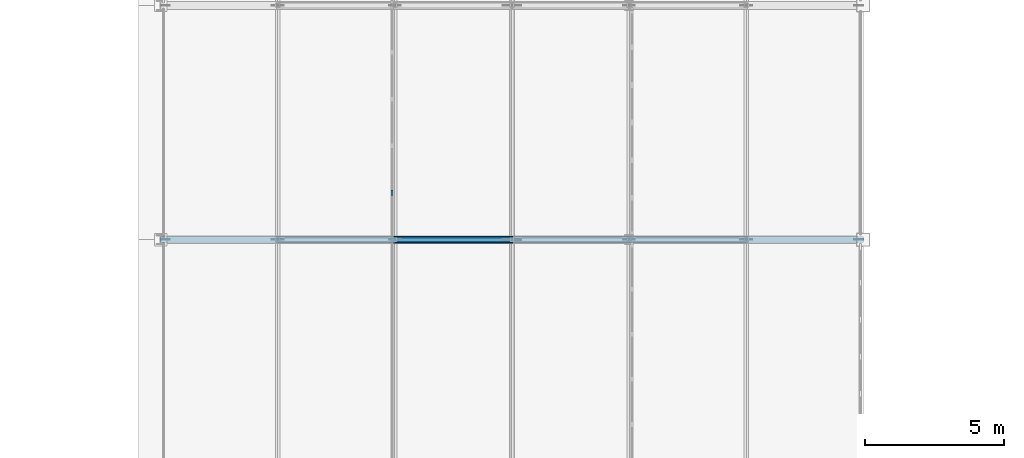
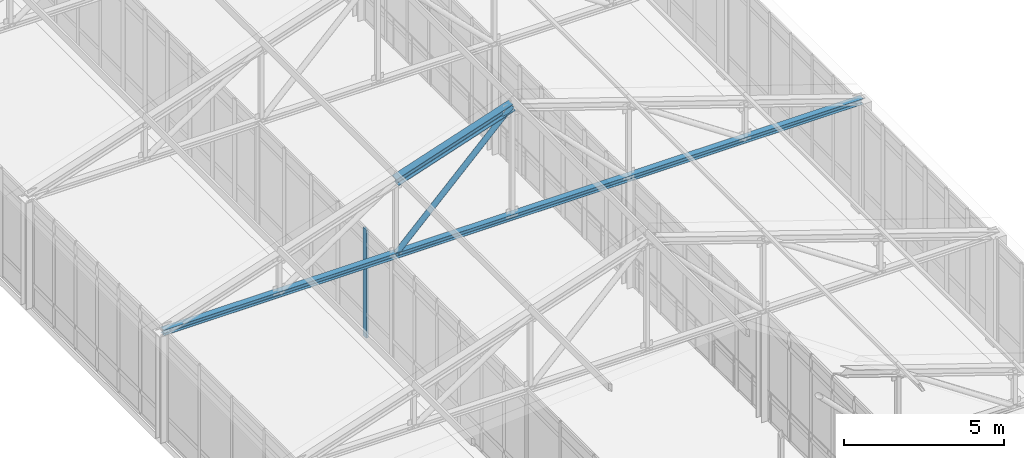
# One storey, part 47 of 192: 4 members, 1 element without a shape of its own.
"""IFC4 building model written with IfcOpenShell, lengths in metres."""

from ifc_helpers import new_model, si_unit, direction, frame, origin, origin_2d, place, context, subcontext, project, spatial, rectangle, hollow_circle, i_section, extrude, material, layer, layer_set, material_profile, profile_set, type_object, element, aggregate, save


model = new_model("IFC4")

# Units and contexts
model_context = context("Model", 3, precision=1e-05, world=origin(), true_north=direction((0.0, 1.0)))
body_context = subcontext(model_context, "Body", "Model", "MODEL_VIEW")
ifc_project = project(units=[si_unit("LENGTHUNIT", "METRE"), si_unit("AREAUNIT", "SQUARE_METRE"), si_unit("VOLUMEUNIT", "CUBIC_METRE"), si_unit("PLANEANGLEUNIT", "RADIAN"), si_unit("MASSUNIT", "GRAM", prefix="KILO")], contexts=[model_context])

# Site, building, storey
site_placement = place(None, origin())
site = spatial("IfcSite", under=ifc_project, at=site_placement, CompositionType="ELEMENT")
building_placement = place(site_placement, origin())
building = spatial("IfcBuilding", under=site, at=building_placement, Name="Kveldsbrygga Polytechnic", CompositionType="ELEMENT")
storey_placement = place(building_placement, frame((0.0, 0.0, 5.43994140625)))
storey = spatial("IfcBuildingStorey", under=building, at=storey_placement, Name="L01", CompositionType="ELEMENT", Elevation=5.43994140625)

# Curtain wall, member
ifc_material_1 = material(Name="Anodised aluminium AW-6060", Category="aluminium")
ifc_layer = layer(ifc_material_1, 0.18994140625)
ifc_layer_set = layer_set([ifc_layer], Name="Anodised aluminium AW-6060")
curtain_wall_type = type_object("IfcCurtainWallType", Name="CW-REFC-G", PredefinedType="USERDEFINED", material=ifc_layer_set)
curtain_wall_placement = place(storey_placement, origin())
curtain_wall = element("IfcCurtainWall", 1, at=curtain_wall_placement, inside=storey, type_object=curtain_wall_type, Name="Curtain Wall CW-L01-Y-07-05", ObjectType="UNITISED CURTAIN WALL", PredefinedType="USERDEFINED")
ifc_material_profile_1 = material_profile(ifc_material_1, rectangle(XDim=0.074951171875, YDim=0.199951171875, at=origin_2d()), Name="ALU 75x200")
ifc_profile_set_1 = profile_set([ifc_material_profile_1], Name="Anodised aluminium AW-6060")
member_type_1 = type_object("IfcMemberType", Name="CW-MUL-200", PredefinedType="MULLION", material=ifc_profile_set_1)
member_1_placement = place(storey_placement, frame((58.699951171875, 43.679931640625, 0.0), z_axis=(0.0, 0.0, 1.0), x_axis=(-1.0, 0.0, 0.0)))
member_1 = element("IfcMember", 2, at=member_1_placement, type_object=member_type_1, Name="CW-07 mullion 2", PredefinedType="MULLION", context=body_context, shape_type="SweptSolid", body=[
    extrude(rectangle(XDim=0.074951171875, YDim=0.199951171875, at=origin_2d()), origin(), (0.0, 0.0, 1.0), 4.1201171875),
])
aggregate(curtain_wall, [member_1])

# Members
ifc_material_2 = material(Name="Steel S355", Category="steel")
ifc_material_profile_2 = material_profile(ifc_material_2, i_section(OverallWidth=0.219970703125, OverallDepth=0.2099609375, WebThickness=0.007080078125, FlangeThickness=0.010986328125, FilletRadius=0.01806640625, at=origin_2d()), Name="HEA 220")
ifc_profile_set_2 = profile_set([ifc_material_profile_2], Name="Steel S355")
member_type_2 = type_object("IfcMemberType", Name="TR-BOT-HEA220", PredefinedType="CHORD", material=ifc_profile_set_2)
member_2_placement = place(storey_placement, frame((50.39990234375, 42.0, 4.1201171875), z_axis=(1.0, 0.0, 0.0), x_axis=(0.0, 1.0, 0.0)))
element("IfcMember", 3, at=member_2_placement, inside=storey, type_object=member_type_2, Name="Truss Bottom Chord V5C-T05-BC-1", PredefinedType="CHORD", context=body_context, shape_type="SweptSolid", body=[
    extrude(i_section(OverallWidth=0.219970703125, OverallDepth=0.2099609375, WebThickness=0.007080078125, FlangeThickness=0.010986328125, FilletRadius=0.01806640625, at=origin_2d()), origin(), (0.0, 0.0, 1.0), 25.2001953125),
])
ifc_material_profile_3 = material_profile(ifc_material_2, hollow_circle(Radius=0.096923828125, WallThickness=0.010009765625, at=origin_2d()), Name="CHS 193.7x10.0")
ifc_profile_set_3 = profile_set([ifc_material_profile_3], Name="Steel S355")
member_type_3 = type_object("IfcMemberType", Name="TR-DIAG-CHS194", PredefinedType="BRACE", material=ifc_profile_set_3)
member_3_placement = place(storey_placement, frame((58.800048828125, 42.0, 4.1201171875), z_axis=(0.707106781187, 0.0, 0.707106781187), x_axis=(0.0, 1.0, 0.0)))
element("IfcMember", 4, at=member_3_placement, inside=storey, type_object=member_type_3, Name="Truss Diagonal V5C-T05-DG-3", PredefinedType="BRACE", context=body_context, shape_type="SweptSolid", body=[
    extrude(hollow_circle(Radius=0.096923828125, WallThickness=0.010009765625, at=origin_2d()), origin(), (0.0, 0.0, 1.0), 5.939697265625),
])
ifc_material_profile_4 = material_profile(ifc_material_2, i_section(OverallWidth=0.280029296875, OverallDepth=0.280029296875, WebThickness=0.010498046875, FlangeThickness=0.01806640625, FilletRadius=0.02392578125, at=origin_2d()), Name="HEB 280")
ifc_profile_set_4 = profile_set([ifc_material_profile_4], Name="Steel S355")
member_type_4 = type_object("IfcMemberType", Name="TR-TOP-HEB280", PredefinedType="CHORD", material=ifc_profile_set_4)
member_4_placement = place(storey_placement, frame((58.800048828125, 42.0, 6.920166015625), z_axis=(0.948688812577, 0.0, 0.316211221956), x_axis=(0.0, 1.0, 0.0)))
element("IfcMember", 5, at=member_4_placement, inside=storey, type_object=member_type_4, Name="Truss Top Chord V5C-T05-TC-3", PredefinedType="CHORD", context=body_context, shape_type="SweptSolid", body=[
    extrude(i_section(OverallWidth=0.280029296875, OverallDepth=0.280029296875, WebThickness=0.010498046875, FlangeThickness=0.01806640625, FilletRadius=0.02392578125, at=origin_2d()), origin(), (0.0, 0.0, 1.0), 4.427001953125),
])

save(model, "model.ifc")
